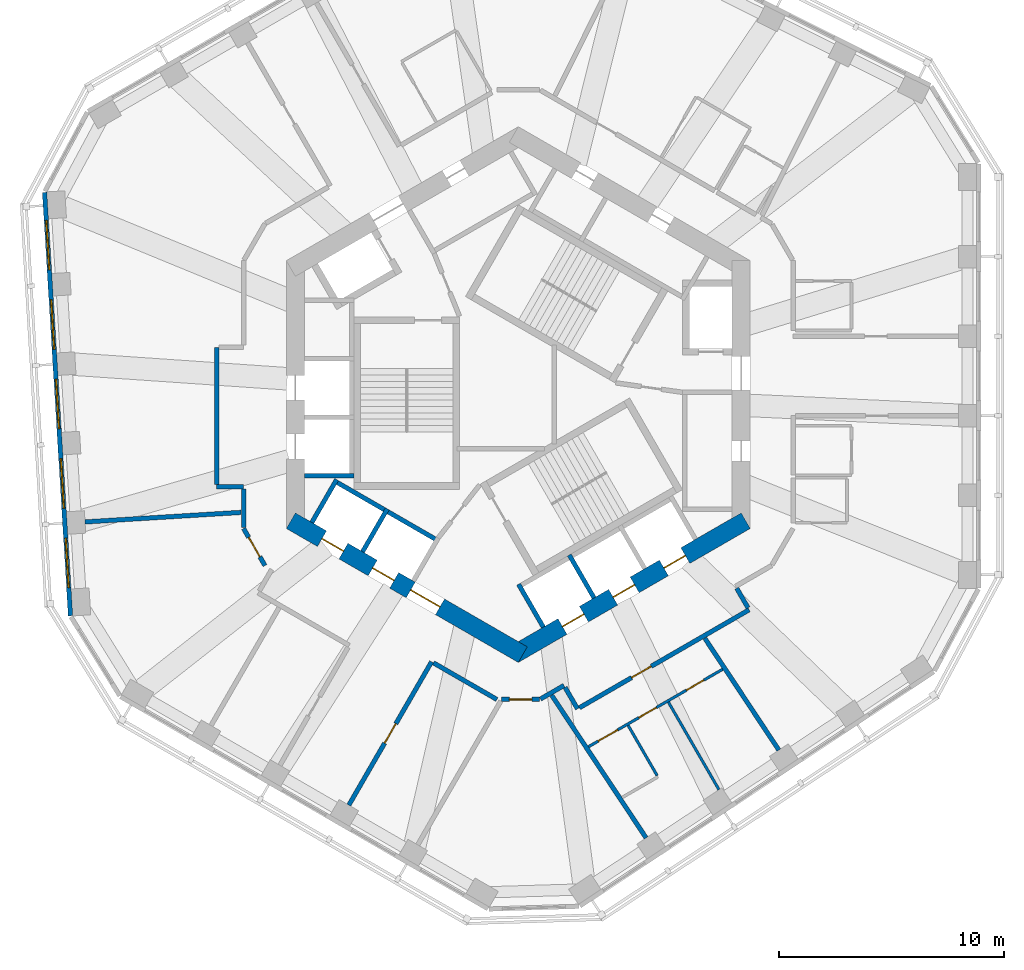
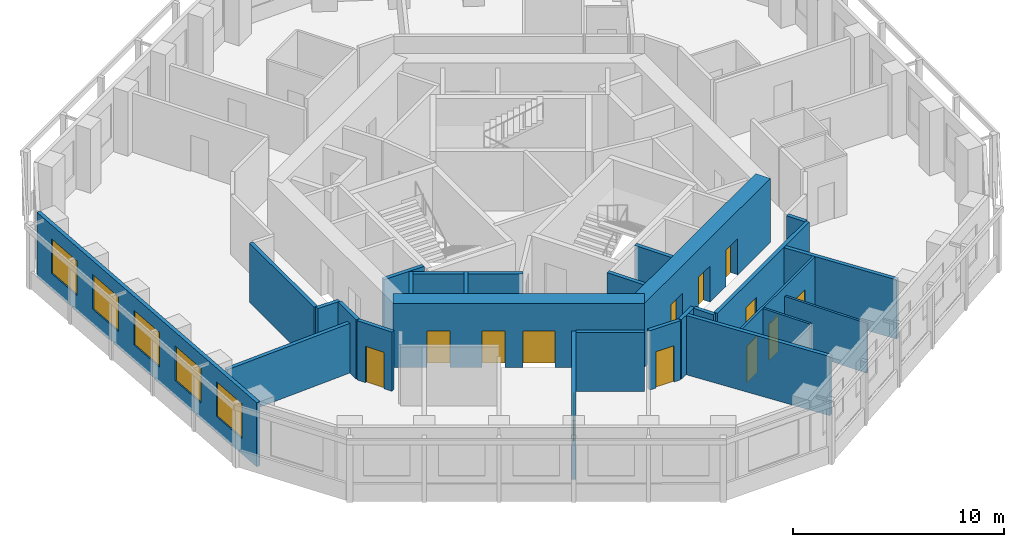
# One storey, part 4 of 11: 26 walls, 13 doors, 5 windows, 18 openings.
"""IFC4 building model written with IfcOpenShell, lengths in metres."""

from ifc_helpers import new_model, si_unit, direction, frame, frame_2d, origin, place, context, subcontext, project, spatial, rectangle, extrude, material, layer, layer_set, type_object, element, fill, save


model = new_model("IFC4")

# Units and contexts
model_context = context("Model", 3, precision=1e-05, world=origin(), true_north=direction((0.0, 1.0)))
body_context = subcontext(model_context, "Body", "Model", "MODEL_VIEW")
ifc_project = project(units=[si_unit("LENGTHUNIT", "METRE"), si_unit("AREAUNIT", "SQUARE_METRE"), si_unit("VOLUMEUNIT", "CUBIC_METRE"), si_unit("PLANEANGLEUNIT", "RADIAN"), si_unit("MASSUNIT", "GRAM", prefix="KILO")], contexts=[model_context])

# Site, building, storey
site_placement = place(None, origin())
site = spatial("IfcSite", under=ifc_project, at=site_placement, CompositionType="ELEMENT")
building_placement = place(site_placement, origin())
building = spatial("IfcBuilding", under=site, at=building_placement, Name="Vanh Sen Convention Tower", CompositionType="ELEMENT")
storey_placement = place(building_placement, frame((0.0, 0.0, 225.39990234375)))
storey = spatial("IfcBuildingStorey", under=building, at=storey_placement, Name="L55", CompositionType="ELEMENT", Elevation=225.39990234375)

# Wall, openings, doors
ifc_material_1 = material(Name="Moisture-resistant gypsum board on steel studs", Category="steel")
ifc_layer_1 = layer(ifc_material_1, 0.1201171875)
ifc_layer_set_1 = layer_set([ifc_layer_1], Name="Moisture-resistant gypsum board on steel studs")
wall_type_1 = type_object("IfcWallType", Name="Bathroom partition 120", PredefinedType="PARTITIONING", material=ifc_layer_set_1)
wall_1_placement = place(storey_placement, frame((3.11669921875, -15.6376953125, 0.0), z_axis=(0.0, 0.0, 1.0), x_axis=(0.866031365477, 0.499989673903, 0.0)))
wall_1 = element("IfcWall", 1, at=wall_1_placement, inside=storey, type_object=wall_type_1, Name="Bathroom partition 120", PredefinedType="PARTITIONING", context=body_context, shape_type="SweptSolid", body=[
    extrude(rectangle(XDim=6.880615234375, YDim=0.1201171875, at=frame_2d((3.4404296875, 0.0))), origin(), (0.0, 0.0, 1.0), 3.420166015625),
])
opening_1_placement = place(wall_1_placement, frame((0.5, 0.0, 0.0)))
opening_1 = element("IfcOpeningElement", 2, at=opening_1_placement, cuts=wall_1, Name="Opening D52114", PredefinedType="OPENING", context=body_context, shape_type="SweptSolid", body=[
    extrude(rectangle(XDim=1.0, YDim=2.10009765625, at=frame_2d((0.5, 1.050048828125))), frame((0.0, 0.070068359375, 0.0), z_axis=(0.0, -1.0, 0.0), x_axis=(1.0, 0.0, 0.0)), (0.0, 0.0, 1.0), 0.14013671875),
])
opening_2_placement = place(wall_1_placement, frame((2.58251953125, 0.0, 0.0)))
opening_2 = element("IfcOpeningElement", 3, at=opening_2_placement, cuts=wall_1, Name="Opening D52115", PredefinedType="OPENING", context=body_context, shape_type="SweptSolid", body=[
    extrude(rectangle(XDim=0.89990234375, YDim=2.10009765625, at=frame_2d((0.449951171875, 1.050048828125))), frame((0.0, 0.070068359375, 0.0), z_axis=(0.0, -1.0, 0.0), x_axis=(1.0, 0.0, 0.0)), (0.0, 0.0, 1.0), 0.14013671875),
])
opening_3_placement = place(wall_1_placement, frame((5.022705078125, 0.0, 0.0)))
opening_3 = element("IfcOpeningElement", 4, at=opening_3_placement, cuts=wall_1, Name="Opening D52116", PredefinedType="OPENING", context=body_context, shape_type="SweptSolid", body=[
    extrude(rectangle(XDim=0.89990234375, YDim=2.10009765625, at=frame_2d((0.449951171875, 1.050048828125))), frame((0.0, 0.070068359375, 0.0), z_axis=(0.0, -1.0, 0.0), x_axis=(1.0, 0.0, 0.0)), (0.0, 0.0, 1.0), 0.14013671875),
])
ifc_material_2 = material(Name="Laminate door in steel frame", Category="steel")
door_type_1 = type_object("IfcDoorType", Name="Accessible WC door 1000", OperationType="SINGLE_SWING_LEFT", PredefinedType="DOOR", material=ifc_material_2)
door_1_placement = place(opening_1_placement, origin())
door_1 = element("IfcDoor", 5, at=door_1_placement, inside=storey, type_object=door_type_1, Name="Accessible WC door D52114", OperationType="SINGLE_SWING_LEFT", OverallHeight=2.10009765625, OverallWidth=1.0, PredefinedType="DOOR", context=body_context, shape_type="SweptSolid", body=[
    extrude(rectangle(XDim=1.0, YDim=2.10009765625, at=frame_2d((0.5, 1.050048828125))), frame((0.0, 0.02490234375, 0.0), z_axis=(0.0, -1.0, 0.0), x_axis=(1.0, 0.0, 0.0)), (0.0, 0.0, 1.0), 0.050048828125),
])
fill(opening_1, door_1)
door_type_2 = type_object("IfcDoorType", Name="Room internal door 900", OperationType="SINGLE_SWING_LEFT", PredefinedType="DOOR", material=ifc_material_2)
door_2_placement = place(opening_2_placement, origin())
door_2 = element("IfcDoor", 6, at=door_2_placement, inside=storey, type_object=door_type_2, Name="Internal room door D52115", OperationType="SINGLE_SWING_LEFT", OverallHeight=2.10009765625, OverallWidth=0.89990234375, PredefinedType="DOOR", context=body_context, shape_type="SweptSolid", body=[
    extrude(rectangle(XDim=0.89990234375, YDim=2.10009765625, at=frame_2d((0.449951171875, 1.050048828125))), frame((0.0, 0.02490234375, 0.0), z_axis=(0.0, -1.0, 0.0), x_axis=(1.0, 0.0, 0.0)), (0.0, 0.0, 1.0), 0.050048828125),
])
fill(opening_2, door_2)
door_3_placement = place(opening_3_placement, origin())
door_3 = element("IfcDoor", 7, at=door_3_placement, inside=storey, type_object=door_type_2, Name="Internal room door D52116", OperationType="SINGLE_SWING_LEFT", OverallHeight=2.10009765625, OverallWidth=0.89990234375, PredefinedType="DOOR", context=body_context, shape_type="SweptSolid", body=[
    extrude(rectangle(XDim=0.89990234375, YDim=2.10009765625, at=frame_2d((0.449951171875, 1.050048828125))), frame((0.0, 0.02490234375, 0.0), z_axis=(0.0, -1.0, 0.0), x_axis=(1.0, 0.0, 0.0)), (0.0, 0.0, 1.0), 0.050048828125),
])
fill(opening_3, door_3)

# Walls
wall_2_placement = place(storey_placement, frame((6.1689453125, -16.923828125, 0.0), z_axis=(0.0, 0.0, 1.0), x_axis=(-0.500047388771, 0.865998042136, 0.0)))
element("IfcWall", 8, at=wall_2_placement, inside=storey, type_object=wall_type_1, Name="Bathroom partition 120", PredefinedType="PARTITIONING", context=body_context, shape_type="SweptSolid", body=[
    extrude(rectangle(XDim=2.579833984375, YDim=0.1201171875, at=frame_2d((1.2900390625, 0.0))), origin(), (0.0, 0.0, 1.0), 3.420166015625),
])
wall_3_placement = place(storey_placement, frame((8.912353515625, -17.54541015625, 0.0), z_axis=(0.0, 0.0, 1.0), x_axis=(-0.500022113525, 0.866012636158, 0.0)))
element("IfcWall", 9, at=wall_3_placement, inside=storey, type_object=wall_type_1, Name="Bathroom partition 120", PredefinedType="PARTITIONING", context=body_context, shape_type="SweptSolid", body=[
    extrude(rectangle(XDim=4.489990234375, YDim=0.1201171875, at=frame_2d((2.2451171875, 0.0))), origin(), (0.0, 0.0, 1.0), 2.8701171875),
])

# Wall, openings, doors
ifc_material_3 = material(Name="Concrete C60/75", Category="concrete")
ifc_layer_2 = layer(ifc_material_3, 0.800048828125)
ifc_layer_set_2 = layer_set([ifc_layer_2], Name="Concrete C60/75")
wall_type_2 = type_object("IfcWallType", Name="Core outer wall 800 C60/75", PredefinedType="SHEAR", material=ifc_layer_set_2)
wall_4_placement = place(storey_placement, frame((-10.10009765625, -5.600341796875, 0.0), z_axis=(0.0, 0.0, 1.0), x_axis=(0.866023897231, -0.500002609418, 0.0)))
wall_4 = element("IfcWall", 10, at=wall_4_placement, inside=storey, type_object=wall_type_2, Name="Core wall face SW L55", PredefinedType="SHEAR", context=body_context, shape_type="SweptSolid", body=[
    extrude(rectangle(XDim=11.8935546875, YDim=0.800048828125, at=frame_2d((5.94677734375, 0.0))), origin(), (0.0, 0.0, 1.0), 3.7001953125),
])
opening_4_placement = place(wall_4_placement, frame((6.146728515625, 0.0, 0.0)))
opening_4 = element("IfcOpeningElement", 11, at=opening_4_placement, cuts=wall_4, Name="Opening D52003", PredefinedType="OPENING", context=body_context, shape_type="SweptSolid", body=[
    extrude(rectangle(XDim=1.5, YDim=2.10009765625, at=frame_2d((0.75, 1.050048828125))), frame((0.0, 0.409912109375, 0.0), z_axis=(0.0, -1.0, 0.0), x_axis=(1.0, 0.0, 0.0)), (0.0, 0.0, 1.0), 0.820068359375),
])
opening_5_placement = place(wall_4_placement, frame((1.5966796875, 0.0, 0.0)))
opening_5 = element("IfcOpeningElement", 12, at=opening_5_placement, cuts=wall_4, Name="Opening LD-HR3", PredefinedType="OPENING", context=body_context, shape_type="SweptSolid", body=[
    extrude(rectangle(XDim=1.10009765625, YDim=2.10009765625, at=frame_2d((0.550048828125, 1.050048828125))), frame((0.0, 0.409912109375, 0.0), z_axis=(0.0, -1.0, 0.0), x_axis=(1.0, 0.0, 0.0)), (0.0, 0.0, 1.0), 0.820068359375),
])
opening_6_placement = place(wall_4_placement, frame((4.19677734375, 0.0, 0.0)))
opening_6 = element("IfcOpeningElement", 13, at=opening_6_placement, cuts=wall_4, Name="Opening LD-HR4", PredefinedType="OPENING", context=body_context, shape_type="SweptSolid", body=[
    extrude(rectangle(XDim=1.10009765625, YDim=2.10009765625, at=frame_2d((0.550048828125, 1.050048828125))), frame((0.0, 0.409912109375, 0.0), z_axis=(0.0, -1.0, 0.0), x_axis=(1.0, 0.0, 0.0)), (0.0, 0.0, 1.0), 0.820068359375),
])
ifc_material_4 = material(Name="Stainless steel", Category="steel")
door_type_3 = type_object("IfcDoorType", Name="Lift landing door 1100", OperationType="DOUBLE_DOOR_SLIDING", PredefinedType="DOOR", material=ifc_material_4)
door_4_placement = place(opening_5_placement, origin())
door_4 = element("IfcDoor", 14, at=door_4_placement, inside=storey, type_object=door_type_3, Name="Lift HR3 landing door LD-HR3", OperationType="DOUBLE_DOOR_SLIDING", OverallHeight=2.10009765625, OverallWidth=1.10009765625, PredefinedType="DOOR", context=body_context, shape_type="SweptSolid", body=[
    extrude(rectangle(XDim=1.10009765625, YDim=2.10009765625, at=frame_2d((0.550048828125, 1.050048828125))), frame((0.0, 0.02490234375, 0.0), z_axis=(0.0, -1.0, 0.0), x_axis=(1.0, 0.0, 0.0)), (0.0, 0.0, 1.0), 0.050048828125),
])
fill(opening_5, door_4)
door_5_placement = place(opening_6_placement, origin())
door_5 = element("IfcDoor", 15, at=door_5_placement, inside=storey, type_object=door_type_3, Name="Lift HR4 landing door LD-HR4", OperationType="DOUBLE_DOOR_SLIDING", OverallHeight=2.10009765625, OverallWidth=1.10009765625, PredefinedType="DOOR", context=body_context, shape_type="SweptSolid", body=[
    extrude(rectangle(XDim=1.10009765625, YDim=2.10009765625, at=frame_2d((0.550048828125, 1.050048828125))), frame((0.0, 0.02490234375, 0.0), z_axis=(0.0, -1.0, 0.0), x_axis=(1.0, 0.0, 0.0)), (0.0, 0.0, 1.0), 0.050048828125),
])
fill(opening_6, door_5)
ifc_material_5 = material(Name="Steel S355", Category="steel")
door_type_4 = type_object("IfcDoorType", Name="Stair lobby door 1500", OperationType="DOUBLE_DOOR_SINGLE_SWING", PredefinedType="DOOR", material=ifc_material_5)
door_6_placement = place(opening_4_placement, origin())
door_6 = element("IfcDoor", 16, at=door_6_placement, inside=storey, type_object=door_type_4, Name="Stair lobby door D52003", OperationType="DOUBLE_DOOR_SINGLE_SWING", OverallHeight=2.10009765625, OverallWidth=1.5, PredefinedType="DOOR", context=body_context, shape_type="SweptSolid", body=[
    extrude(rectangle(XDim=1.5, YDim=2.10009765625, at=frame_2d((0.75, 1.050048828125))), frame((0.0, 0.02490234375, 0.0), z_axis=(0.0, -1.0, 0.0), x_axis=(1.0, 0.0, 0.0)), (0.0, 0.0, 1.0), 0.050048828125),
])
fill(opening_4, door_6)

wall_5_placement = place(storey_placement, frame((-0.199951171875, -11.547119140625, 0.0), z_axis=(0.0, 0.0, 1.0), x_axis=(0.866023897231, 0.500002609418, 0.0)))
wall_5 = element("IfcWall", 17, at=wall_5_placement, inside=storey, type_object=wall_type_2, Name="Core wall face SE L55", PredefinedType="SHEAR", context=body_context, shape_type="SweptSolid", body=[
    extrude(rectangle(XDim=11.8935546875, YDim=0.800048828125, at=frame_2d((5.94677734375, 0.0))), origin(), (0.0, 0.0, 1.0), 3.7001953125),
])
opening_7_placement = place(wall_5_placement, frame((2.49658203125, 0.0, 0.0)))
opening_7 = element("IfcOpeningElement", 18, at=opening_7_placement, cuts=wall_5, Name="Opening LD-HR5", PredefinedType="OPENING", context=body_context, shape_type="SweptSolid", body=[
    extrude(rectangle(XDim=1.10009765625, YDim=2.10009765625, at=frame_2d((0.550048828125, 1.050048828125))), frame((0.0, 0.409912109375, 0.0), z_axis=(0.0, -1.0, 0.0), x_axis=(1.0, 0.0, 0.0)), (0.0, 0.0, 1.0), 0.820068359375),
])
opening_8_placement = place(wall_5_placement, frame((5.0966796875, 0.0, 0.0)))
opening_8 = element("IfcOpeningElement", 19, at=opening_8_placement, cuts=wall_5, Name="Opening LD-HR6", PredefinedType="OPENING", context=body_context, shape_type="SweptSolid", body=[
    extrude(rectangle(XDim=1.10009765625, YDim=2.10009765625, at=frame_2d((0.550048828125, 1.050048828125))), frame((0.0, 0.409912109375, 0.0), z_axis=(0.0, -1.0, 0.0), x_axis=(1.0, 0.0, 0.0)), (0.0, 0.0, 1.0), 0.820068359375),
])
opening_9_placement = place(wall_5_placement, frame((7.69677734375, 0.0, 0.0)))
opening_9 = element("IfcOpeningElement", 20, at=opening_9_placement, cuts=wall_5, Name="Opening LD-SV1", PredefinedType="OPENING", context=body_context, shape_type="SweptSolid", body=[
    extrude(rectangle(XDim=1.10009765625, YDim=2.10009765625, at=frame_2d((0.550048828125, 1.050048828125))), frame((0.0, 0.409912109375, 0.0), z_axis=(0.0, -1.0, 0.0), x_axis=(1.0, 0.0, 0.0)), (0.0, 0.0, 1.0), 0.820068359375),
])
door_7_placement = place(opening_7_placement, origin())
door_7 = element("IfcDoor", 21, at=door_7_placement, inside=storey, type_object=door_type_3, Name="Lift HR5 landing door LD-HR5", OperationType="DOUBLE_DOOR_SLIDING", OverallHeight=2.10009765625, OverallWidth=1.10009765625, PredefinedType="DOOR", context=body_context, shape_type="SweptSolid", body=[
    extrude(rectangle(XDim=1.10009765625, YDim=2.10009765625, at=frame_2d((0.550048828125, 1.050048828125))), frame((0.0, 0.02490234375, 0.0), z_axis=(0.0, -1.0, 0.0), x_axis=(1.0, 0.0, 0.0)), (0.0, 0.0, 1.0), 0.050048828125),
])
fill(opening_7, door_7)
door_8_placement = place(opening_8_placement, origin())
door_8 = element("IfcDoor", 22, at=door_8_placement, inside=storey, type_object=door_type_3, Name="Lift HR6 landing door LD-HR6", OperationType="DOUBLE_DOOR_SLIDING", OverallHeight=2.10009765625, OverallWidth=1.10009765625, PredefinedType="DOOR", context=body_context, shape_type="SweptSolid", body=[
    extrude(rectangle(XDim=1.10009765625, YDim=2.10009765625, at=frame_2d((0.550048828125, 1.050048828125))), frame((0.0, 0.02490234375, 0.0), z_axis=(0.0, -1.0, 0.0), x_axis=(1.0, 0.0, 0.0)), (0.0, 0.0, 1.0), 0.050048828125),
])
fill(opening_8, door_8)
door_9_placement = place(opening_9_placement, origin())
door_9 = element("IfcDoor", 23, at=door_9_placement, inside=storey, type_object=door_type_3, Name="Lift SV1 landing door LD-SV1", OperationType="DOUBLE_DOOR_SLIDING", OverallHeight=2.10009765625, OverallWidth=1.10009765625, PredefinedType="DOOR", context=body_context, shape_type="SweptSolid", body=[
    extrude(rectangle(XDim=1.10009765625, YDim=2.10009765625, at=frame_2d((0.550048828125, 1.050048828125))), frame((0.0, 0.02490234375, 0.0), z_axis=(0.0, -1.0, 0.0), x_axis=(1.0, 0.0, 0.0)), (0.0, 0.0, 1.0), 0.050048828125),
])
fill(opening_9, door_9)

# Walls
ifc_material_6 = material(Name="Gypsum board on steel studs with mineral wool", Category="steel")
ifc_layer_3 = layer(ifc_material_6, 0.199951171875)
ifc_layer_set_3 = layer_set([ifc_layer_3], Name="Gypsum board on steel studs with mineral wool")
wall_type_3 = type_object("IfcWallType", Name="Corridor partition wall 200", PredefinedType="PARTITIONING", material=ifc_layer_set_3)
wall_6_placement = place(storey_placement, frame((-13.40087890625, -4.10107421875, 0.0), z_axis=(0.0, 0.0, 1.0), x_axis=(1.0, 0.0, 0.0)))
element("IfcWall", 24, at=wall_6_placement, inside=storey, type_object=wall_type_3, Name="Corridor partition wall 200", PredefinedType="PARTITIONING", context=body_context, shape_type="SweptSolid", body=[
    extrude(rectangle(XDim=1.200927734375, YDim=0.199951171875, at=frame_2d((0.6005859375, 0.0))), origin(), (0.0, 0.0, 1.0), 3.420166015625),
])
wall_7_placement = place(storey_placement, frame((-13.40087890625, 2.10107421875, 0.0), z_axis=(0.0, 0.0, 1.0), x_axis=(0.0, -1.0, 0.0)))
element("IfcWall", 25, at=wall_7_placement, inside=storey, type_object=wall_type_3, Name="Corridor partition wall 200", PredefinedType="PARTITIONING", context=body_context, shape_type="SweptSolid", body=[
    extrude(rectangle(XDim=6.10205078125, YDim=0.199951171875, at=frame_2d((3.051025390625, 0.0))), origin(), (0.0, 0.0, 1.0), 3.420166015625),
])

# Wall, opening, door
wall_8_placement = place(storey_placement, frame((-12.199951171875, -5.94677734375, 0.0), z_axis=(0.0, 0.0, 1.0), x_axis=(0.500022797313, -0.86601224135, 0.0)))
wall_8 = element("IfcWall", 26, at=wall_8_placement, inside=storey, type_object=wall_type_3, Name="Corridor partition wall 200", PredefinedType="PARTITIONING", context=body_context, shape_type="SweptSolid", body=[
    extrude(rectangle(XDim=1.89990234375, YDim=0.199951171875, at=frame_2d((0.949951171875, 0.0))), origin(), (0.0, 0.0, 1.0), 3.420166015625),
])
opening_10_placement = place(wall_8_placement, frame((0.449951171875, 0.0, 0.0)))
opening_10 = element("IfcOpeningElement", 27, at=opening_10_placement, cuts=wall_8, Name="Opening D52109", PredefinedType="OPENING", context=body_context, shape_type="SweptSolid", body=[
    extrude(rectangle(XDim=1.0, YDim=2.10009765625, at=frame_2d((0.5, 1.050048828125))), frame((0.0, 0.10986328125, 0.0), z_axis=(0.0, -1.0, 0.0), x_axis=(1.0, 0.0, 0.0)), (0.0, 0.0, 1.0), 0.219970703125),
])
ifc_material_7 = material(Name="Timber fire door in steel frame", Category="steel")
door_type_5 = type_object("IfcDoorType", Name="Floor room door 1000", OperationType="SINGLE_SWING_LEFT", PredefinedType="DOOR", material=ifc_material_7)
door_10_placement = place(opening_10_placement, origin())
door_10 = element("IfcDoor", 28, at=door_10_placement, inside=storey, type_object=door_type_5, Name="Meeting and amenity room door D52109", OperationType="SINGLE_SWING_LEFT", OverallHeight=2.10009765625, OverallWidth=1.0, PredefinedType="DOOR", context=body_context, shape_type="SweptSolid", body=[
    extrude(rectangle(XDim=1.0, YDim=2.10009765625, at=frame_2d((0.5, 1.050048828125))), frame((0.0, 0.02490234375, 0.0), z_axis=(0.0, -1.0, 0.0), x_axis=(1.0, 0.0, 0.0)), (0.0, 0.0, 1.0), 0.050048828125),
])
fill(opening_10, door_10)

# Wall
wall_9_placement = place(storey_placement, frame((-12.199951171875, -4.200927734375, 0.0), z_axis=(0.0, 0.0, 1.0), x_axis=(0.0, -1.0, 0.0)))
element("IfcWall", 29, at=wall_9_placement, inside=storey, type_object=wall_type_3, Name="Corridor partition wall 200", PredefinedType="PARTITIONING", context=body_context, shape_type="SweptSolid", body=[
    extrude(rectangle(XDim=1.705810546875, YDim=0.199951171875, at=frame_2d((0.85302734375, 0.0))), origin(), (0.0, 0.0, 1.0), 3.420166015625),
])

# Wall, opening, door
wall_10_placement = place(storey_placement, frame((-7.52490234375, -18.229736328125, 0.0), z_axis=(0.0, 0.0, 1.0), x_axis=(0.499983153418, 0.866035129944, 0.0)))
wall_10 = element("IfcWall", 30, at=wall_10_placement, inside=storey, type_object=wall_type_3, Name="Corridor partition wall 200", PredefinedType="PARTITIONING", context=body_context, shape_type="SweptSolid", body=[
    extrude(rectangle(XDim=7.349853515625, YDim=0.199951171875, at=frame_2d((3.6748046875, 0.0))), origin(), (0.0, 0.0, 1.0), 3.420166015625),
])
opening_11_placement = place(wall_10_placement, frame((3.175048828125, 0.0, 0.0)))
opening_11 = element("IfcOpeningElement", 31, at=opening_11_placement, cuts=wall_10, Name="Opening D52111", PredefinedType="OPENING", context=body_context, shape_type="SweptSolid", body=[
    extrude(rectangle(XDim=1.0, YDim=2.10009765625, at=frame_2d((0.5, 1.050048828125))), frame((0.0, 0.10986328125, 0.0), z_axis=(0.0, -1.0, 0.0), x_axis=(1.0, 0.0, 0.0)), (0.0, 0.0, 1.0), 0.219970703125),
])
ifc_material_8 = material(Name="Glazed fire door in steel frame", Category="steel")
door_type_6 = type_object("IfcDoorType", Name="Tenant entrance door 1000", OperationType="SINGLE_SWING_LEFT", PredefinedType="DOOR", material=ifc_material_8)
door_11_placement = place(opening_11_placement, origin())
door_11 = element("IfcDoor", 32, at=door_11_placement, inside=storey, type_object=door_type_6, Name="Tenant suite entrance door D52111", OperationType="SINGLE_SWING_LEFT", OverallHeight=2.10009765625, OverallWidth=1.0, PredefinedType="DOOR", context=body_context, shape_type="SweptSolid", body=[
    extrude(rectangle(XDim=1.0, YDim=2.10009765625, at=frame_2d((0.5, 1.050048828125))), frame((0.0, 0.02490234375, 0.0), z_axis=(0.0, -1.0, 0.0), x_axis=(1.0, 0.0, 0.0)), (0.0, 0.0, 1.0), 0.050048828125),
])
fill(opening_11, door_11)

# Wall
wall_11_placement = place(storey_placement, frame((-3.763427734375, -11.91455078125, 0.0), z_axis=(0.0, 0.0, 1.0), x_axis=(0.866037915695, -0.499978328108, 0.0)))
element("IfcWall", 33, at=wall_11_placement, inside=storey, type_object=wall_type_3, Name="Corridor partition wall 200", PredefinedType="PARTITIONING", context=body_context, shape_type="SweptSolid", body=[
    extrude(rectangle(XDim=3.248779296875, YDim=0.199951171875, at=frame_2d((1.62451171875, 0.0))), origin(), (0.0, 0.0, 1.0), 3.420166015625),
])

# Wall, opening, door
wall_12_placement = place(storey_placement, frame((-0.736328125, -13.538818359375, 0.0), z_axis=(0.0, 0.0, 1.0), x_axis=(1.0, 0.0, 0.0)))
wall_12 = element("IfcWall", 34, at=wall_12_placement, inside=storey, type_object=wall_type_3, Name="Corridor partition wall 200", PredefinedType="PARTITIONING", context=body_context, shape_type="SweptSolid", body=[
    extrude(rectangle(XDim=1.686279296875, YDim=0.199951171875, at=frame_2d((0.84326171875, 0.0))), origin(), (0.0, 0.0, 1.0), 3.420166015625),
])
opening_12_placement = place(wall_12_placement, frame((0.34326171875, 0.0, 0.0)))
opening_12 = element("IfcOpeningElement", 35, at=opening_12_placement, cuts=wall_12, Name="Opening D52112", PredefinedType="OPENING", context=body_context, shape_type="SweptSolid", body=[
    extrude(rectangle(XDim=1.0, YDim=2.10009765625, at=frame_2d((0.5, 1.050048828125))), frame((0.0, 0.10986328125, 0.0), z_axis=(0.0, -1.0, 0.0), x_axis=(1.0, 0.0, 0.0)), (0.0, 0.0, 1.0), 0.219970703125),
])
door_12_placement = place(opening_12_placement, origin())
door_12 = element("IfcDoor", 36, at=door_12_placement, inside=storey, type_object=door_type_5, Name="Meeting and amenity room door D52112", OperationType="SINGLE_SWING_LEFT", OverallHeight=2.10009765625, OverallWidth=1.0, PredefinedType="DOOR", context=body_context, shape_type="SweptSolid", body=[
    extrude(rectangle(XDim=1.0, YDim=2.10009765625, at=frame_2d((0.5, 1.050048828125))), frame((0.0, 0.02490234375, 0.0), z_axis=(0.0, -1.0, 0.0), x_axis=(1.0, 0.0, 0.0)), (0.0, 0.0, 1.0), 0.050048828125),
])
fill(opening_12, door_12)

# Walls
wall_13_placement = place(storey_placement, frame((0.984619140625, -13.518798828125, 0.0), z_axis=(0.0, 0.0, 1.0), x_axis=(0.866054082991, 0.499950322867, 0.0)))
element("IfcWall", 37, at=wall_13_placement, inside=storey, type_object=wall_type_3, Name="Corridor partition wall 200", PredefinedType="PARTITIONING", context=body_context, shape_type="SweptSolid", body=[
    extrude(rectangle(XDim=1.20556640625, YDim=0.199951171875, at=frame_2d((0.602783203125, 0.0))), origin(), (0.0, 0.0, 1.0), 3.420166015625),
])
wall_14_placement = place(storey_placement, frame((2.078857421875, -13.002685546875, 0.0), z_axis=(0.0, 0.0, 1.0), x_axis=(0.500074377092, -0.865982457891, 0.0)))
element("IfcWall", 38, at=wall_14_placement, inside=storey, type_object=wall_type_3, Name="Corridor partition wall 200", PredefinedType="PARTITIONING", context=body_context, shape_type="SweptSolid", body=[
    extrude(rectangle(XDim=1.100830078125, YDim=0.199951171875, at=frame_2d((0.55029296875, 0.0))), origin(), (0.0, 0.0, 1.0), 3.420166015625),
])

# Wall, opening, door
wall_15_placement = place(storey_placement, frame((2.7158203125, -13.906005859375, 0.0), z_axis=(0.0, 0.0, 1.0), x_axis=(0.866040290674, 0.499974214264, 0.0)))
wall_15 = element("IfcWall", 39, at=wall_15_placement, inside=storey, type_object=wall_type_3, Name="Corridor partition wall 200", PredefinedType="PARTITIONING", context=body_context, shape_type="SweptSolid", body=[
    extrude(rectangle(XDim=8.7021484375, YDim=0.199951171875, at=frame_2d((4.35107421875, 0.0))), origin(), (0.0, 0.0, 1.0), 3.420166015625),
])
opening_13_placement = place(wall_15_placement, frame((2.678955078125, 0.0, 0.0)))
opening_13 = element("IfcOpeningElement", 40, at=opening_13_placement, cuts=wall_15, Name="Opening D52113", PredefinedType="OPENING", context=body_context, shape_type="SweptSolid", body=[
    extrude(rectangle(XDim=1.0, YDim=2.10009765625, at=frame_2d((0.5, 1.050048828125))), frame((0.0, 0.10986328125, 0.0), z_axis=(0.0, -1.0, 0.0), x_axis=(1.0, 0.0, 0.0)), (0.0, 0.0, 1.0), 0.219970703125),
])
door_13_placement = place(opening_13_placement, origin())
door_13 = element("IfcDoor", 41, at=door_13_placement, inside=storey, type_object=door_type_5, Name="Meeting and amenity room door D52113", OperationType="SINGLE_SWING_LEFT", OverallHeight=2.10009765625, OverallWidth=1.0, PredefinedType="DOOR", context=body_context, shape_type="SweptSolid", body=[
    extrude(rectangle(XDim=1.0, YDim=2.10009765625, at=frame_2d((0.5, 1.050048828125))), frame((0.0, 0.02490234375, 0.0), z_axis=(0.0, -1.0, 0.0), x_axis=(1.0, 0.0, 0.0)), (0.0, 0.0, 1.0), 0.050048828125),
])
fill(opening_13, door_13)

# Wall
wall_16_placement = place(storey_placement, frame((10.2021484375, -9.468505859375, 0.0), z_axis=(0.0, 0.0, 1.0), x_axis=(-0.499968756647, 0.866043441391, 0.0)))
element("IfcWall", 42, at=wall_16_placement, inside=storey, type_object=wall_type_3, Name="Corridor partition wall 200", PredefinedType="PARTITIONING", context=body_context, shape_type="SweptSolid", body=[
    extrude(rectangle(XDim=1.0009765625, YDim=0.199951171875, at=frame_2d((0.50048828125, 0.0))), origin(), (0.0, 0.0, 1.0), 3.420166015625),
])

# Wall, openings, windows
ifc_material_9 = material(Name="Insulated lightweight infill wall")
ifc_layer_4 = layer(ifc_material_9, 0.199951171875)
ifc_layer_set_4 = layer_set([ifc_layer_4], Name="Insulated lightweight infill wall")
wall_type_4 = type_object("IfcWallType", Name="External wall 200", PredefinedType="STANDARD", material=ifc_layer_set_4)
wall_17_placement = place(storey_placement, frame((-21.03759765625, 8.983642578125, 0.0), z_axis=(0.0, 0.0, 1.0), x_axis=(0.061043935634, -0.998135079998, 0.0)))
wall_17 = element("IfcWall", 43, at=wall_17_placement, inside=storey, type_object=wall_type_4, Name="External wall W L55", PredefinedType="STANDARD", context=body_context, shape_type="SweptSolid", body=[
    extrude(rectangle(XDim=18.84130859375, YDim=0.199951171875, at=frame_2d((9.420654296875, 0.0))), origin(), (0.0, 0.0, 1.0), 3.7001953125),
])
opening_14_placement = place(wall_17_placement, frame((1.252685546875, 0.0, 0.89990234375)))
opening_14 = element("IfcOpeningElement", 44, at=opening_14_placement, cuts=wall_17, Name="Opening WO3-W1", PredefinedType="OPENING", context=body_context, shape_type="SweptSolid", body=[
    extrude(rectangle(XDim=2.199951171875, YDim=2.0, at=frame_2d((1.10009765625, 1.0))), frame((0.0, 0.10986328125, 0.0), z_axis=(0.0, -1.0, 0.0), x_axis=(1.0, 0.0, 0.0)), (0.0, 0.0, 1.0), 0.219970703125),
])
opening_15_placement = place(wall_17_placement, frame((4.7861328125, 0.0, 0.89990234375)))
opening_15 = element("IfcOpeningElement", 45, at=opening_15_placement, cuts=wall_17, Name="Opening WO3-W2", PredefinedType="OPENING", context=body_context, shape_type="SweptSolid", body=[
    extrude(rectangle(XDim=2.199951171875, YDim=2.0, at=frame_2d((1.10009765625, 1.0))), frame((0.0, 0.10986328125, 0.0), z_axis=(0.0, -1.0, 0.0), x_axis=(1.0, 0.0, 0.0)), (0.0, 0.0, 1.0), 0.219970703125),
])
opening_16_placement = place(wall_17_placement, frame((8.31982421875, 0.0, 0.89990234375)))
opening_16 = element("IfcOpeningElement", 46, at=opening_16_placement, cuts=wall_17, Name="Opening WO3-W3", PredefinedType="OPENING", context=body_context, shape_type="SweptSolid", body=[
    extrude(rectangle(XDim=2.199951171875, YDim=2.0, at=frame_2d((1.10009765625, 1.0))), frame((0.0, 0.10986328125, 0.0), z_axis=(0.0, -1.0, 0.0), x_axis=(1.0, 0.0, 0.0)), (0.0, 0.0, 1.0), 0.219970703125),
])
opening_17_placement = place(wall_17_placement, frame((11.853515625, 0.0, 0.89990234375)))
opening_17 = element("IfcOpeningElement", 47, at=opening_17_placement, cuts=wall_17, Name="Opening WO3-W4", PredefinedType="OPENING", context=body_context, shape_type="SweptSolid", body=[
    extrude(rectangle(XDim=2.199951171875, YDim=2.0, at=frame_2d((1.10009765625, 1.0))), frame((0.0, 0.10986328125, 0.0), z_axis=(0.0, -1.0, 0.0), x_axis=(1.0, 0.0, 0.0)), (0.0, 0.0, 1.0), 0.219970703125),
])
opening_18_placement = place(wall_17_placement, frame((15.38720703125, 0.0, 0.89990234375)))
opening_18 = element("IfcOpeningElement", 48, at=opening_18_placement, cuts=wall_17, Name="Opening WO3-W5", PredefinedType="OPENING", context=body_context, shape_type="SweptSolid", body=[
    extrude(rectangle(XDim=2.199951171875, YDim=2.0, at=frame_2d((1.10009765625, 1.0))), frame((0.0, 0.10986328125, 0.0), z_axis=(0.0, -1.0, 0.0), x_axis=(1.0, 0.0, 0.0)), (0.0, 0.0, 1.0), 0.219970703125),
])
ifc_material_10 = material(Name="Aluminium frame with clear low-emissivity glass", Category="aluminium")
window_type = type_object("IfcWindowType", Name="Office window 2200 x 2000", PartitioningType="SINGLE_PANEL", PredefinedType="WINDOW", material=ifc_material_10)
window_1_placement = place(opening_14_placement, origin())
window_1 = element("IfcWindow", 49, at=window_1_placement, inside=storey, type_object=window_type, Name="Window WO3-W1", OverallHeight=2.0, OverallWidth=2.199951171875, PartitioningType="SINGLE_PANEL", PredefinedType="WINDOW", context=body_context, shape_type="SweptSolid", body=[
    extrude(rectangle(XDim=2.199951171875, YDim=2.0, at=frame_2d((1.10009765625, 1.0))), frame((0.0, 0.030029296875, 0.0), z_axis=(0.0, -1.0, 0.0), x_axis=(1.0, 0.0, 0.0)), (0.0, 0.0, 1.0), 0.06005859375),
])
fill(opening_14, window_1)
window_2_placement = place(opening_15_placement, origin())
window_2 = element("IfcWindow", 50, at=window_2_placement, inside=storey, type_object=window_type, Name="Window WO3-W2", OverallHeight=2.0, OverallWidth=2.199951171875, PartitioningType="SINGLE_PANEL", PredefinedType="WINDOW", context=body_context, shape_type="SweptSolid", body=[
    extrude(rectangle(XDim=2.199951171875, YDim=2.0, at=frame_2d((1.10009765625, 1.0))), frame((0.0, 0.030029296875, 0.0), z_axis=(0.0, -1.0, 0.0), x_axis=(1.0, 0.0, 0.0)), (0.0, 0.0, 1.0), 0.06005859375),
])
fill(opening_15, window_2)
window_3_placement = place(opening_16_placement, origin())
window_3 = element("IfcWindow", 51, at=window_3_placement, inside=storey, type_object=window_type, Name="Window WO3-W3", OverallHeight=2.0, OverallWidth=2.199951171875, PartitioningType="SINGLE_PANEL", PredefinedType="WINDOW", context=body_context, shape_type="SweptSolid", body=[
    extrude(rectangle(XDim=2.199951171875, YDim=2.0, at=frame_2d((1.10009765625, 1.0))), frame((0.0, 0.030029296875, 0.0), z_axis=(0.0, -1.0, 0.0), x_axis=(1.0, 0.0, 0.0)), (0.0, 0.0, 1.0), 0.06005859375),
])
fill(opening_16, window_3)
window_4_placement = place(opening_17_placement, origin())
window_4 = element("IfcWindow", 52, at=window_4_placement, inside=storey, type_object=window_type, Name="Window WO3-W4", OverallHeight=2.0, OverallWidth=2.199951171875, PartitioningType="SINGLE_PANEL", PredefinedType="WINDOW", context=body_context, shape_type="SweptSolid", body=[
    extrude(rectangle(XDim=2.199951171875, YDim=2.0, at=frame_2d((1.10009765625, 1.0))), frame((0.0, 0.030029296875, 0.0), z_axis=(0.0, -1.0, 0.0), x_axis=(1.0, 0.0, 0.0)), (0.0, 0.0, 1.0), 0.06005859375),
])
fill(opening_17, window_4)
window_5_placement = place(opening_18_placement, origin())
window_5 = element("IfcWindow", 53, at=window_5_placement, inside=storey, type_object=window_type, Name="Window WO3-W5", OverallHeight=2.0, OverallWidth=2.199951171875, PartitioningType="SINGLE_PANEL", PredefinedType="WINDOW", context=body_context, shape_type="SweptSolid", body=[
    extrude(rectangle(XDim=2.199951171875, YDim=2.0, at=frame_2d((1.10009765625, 1.0))), frame((0.0, 0.030029296875, 0.0), z_axis=(0.0, -1.0, 0.0), x_axis=(1.0, 0.0, 0.0)), (0.0, 0.0, 1.0), 0.06005859375),
])
fill(opening_18, window_5)

# Walls
ifc_material_11 = material(Name="Concrete C40/50", Category="concrete")
ifc_layer_5 = layer(ifc_material_11, 0.199951171875)
ifc_layer_set_5 = layer_set([ifc_layer_5], Name="Concrete C40/50")
wall_type_5 = type_object("IfcWallType", Name="Lift shaft wall 200", PredefinedType="PARTITIONING", material=ifc_layer_set_5)
wall_18_placement = place(storey_placement, frame((-7.300048828125, -3.60009765625, 0.0), z_axis=(0.0, 0.0, 1.0), x_axis=(-1.0, 0.0, 0.0)))
element("IfcWall", 54, at=wall_18_placement, inside=storey, type_object=wall_type_5, Name="Lift shaft wall L55", PredefinedType="PARTITIONING", context=body_context, shape_type="SweptSolid", body=[
    extrude(rectangle(XDim=2.199951171875, YDim=0.199951171875, at=frame_2d((1.10009765625, 0.0))), origin(), (0.0, 0.0, 1.0), 3.420166015625),
])
wall_19_placement = place(storey_placement, frame((-8.203369140625, -3.80859375, 0.0), z_axis=(0.0, 0.0, 1.0), x_axis=(0.866028230842, -0.499995103361, 0.0)))
element("IfcWall", 55, at=wall_19_placement, inside=storey, type_object=wall_type_5, Name="Lift shaft wall L55", PredefinedType="PARTITIONING", context=body_context, shape_type="SweptSolid", body=[
    extrude(rectangle(XDim=5.39990234375, YDim=0.199951171875, at=frame_2d((2.699951171875, 0.0))), origin(), (0.0, 0.0, 1.0), 3.420166015625),
])
for number, where, z_axis, x_axis, name in (
    (56, (-8.066650390625, -3.77197265625, 0.0), (0.0, 0.0, 1.0), (-0.50002983664, -0.866008176907, 0.0), "Lift shaft wall L55"),
    (57, (-5.815185546875, -5.072021484375, 0.0), (0.0, 0.0, 1.0), (-0.499946605688, -0.86605622881, 0.0), "Lift shaft wall L55"),
    (58, (0.0126953125, -8.422119140625, 0.0), (0.0, 0.0, 1.0), (0.500077893725, -0.86598042715, 0.0), "Lift shaft wall L55"),
    (59, (2.264404296875, -7.1220703125, 0.0), (0.0, 0.0, 1.0), (0.500077893725, -0.86598042715, 0.0), "Lift shaft wall L55"),
):
    element("IfcWall", number, at=place(storey_placement, frame(where, z_axis=z_axis, x_axis=x_axis)), inside=storey, type_object=wall_type_5, Name=name, PredefinedType="PARTITIONING", context=body_context, shape_type="SweptSolid", body=[
        extrude(rectangle(XDim=2.199951171875, YDim=0.199951171875, at=frame_2d((1.10009765625, 0.0))), origin(), (0.0, 0.0, 1.0), 3.420166015625),
    ])
ifc_layer_6 = layer(ifc_material_6, 0.199951171875)
ifc_layer_set_6 = layer_set([ifc_layer_6], Name="Gypsum board on steel studs with mineral wool")
wall_type_6 = type_object("IfcWallType", Name="Tenant suite wall 200", PredefinedType="PARTITIONING", material=ifc_layer_set_6)
wall_20_placement = place(storey_placement, frame((-19.24072265625, -5.654296875, 0.0), z_axis=(0.0, 0.0, 1.0), x_axis=(0.998135538818, 0.061036432963, 0.0)))
element("IfcWall", 60, at=wall_20_placement, inside=storey, type_object=wall_type_6, Name="Tenant suite wall 200", PredefinedType="PARTITIONING", context=body_context, shape_type="SweptSolid", body=[
    extrude(rectangle(XDim=6.94384765625, YDim=0.199951171875, at=frame_2d((3.471923828125, 0.0))), origin(), (0.0, 0.0, 1.0), 2.8701171875),
])
wall_21_placement = place(storey_placement, frame((5.67724609375, -19.686767578125, 0.0), z_axis=(0.0, 0.0, 1.0), x_axis=(-0.551936619203, 0.833886064389, 0.0)))
element("IfcWall", 61, at=wall_21_placement, inside=storey, type_object=wall_type_6, Name="Tenant suite wall 200", PredefinedType="PARTITIONING", context=body_context, shape_type="SweptSolid", body=[
    extrude(rectangle(XDim=7.59228515625, YDim=0.199951171875, at=frame_2d((3.796142578125, 0.0))), origin(), (0.0, 0.0, 1.0), 3.420166015625),
])
wall_22_placement = place(storey_placement, frame((11.570556640625, -15.7861328125, 0.0), z_axis=(0.0, 0.0, 1.0), x_axis=(-0.551944861763, 0.833880608705, 0.0)))
element("IfcWall", 62, at=wall_22_placement, inside=storey, type_object=wall_type_6, Name="Tenant suite wall 200", PredefinedType="PARTITIONING", context=body_context, shape_type="SweptSolid", body=[
    extrude(rectangle(XDim=5.956787109375, YDim=0.199951171875, at=frame_2d((2.978515625, 0.0))), origin(), (0.0, 0.0, 1.0), 3.420166015625),
])

save(model, "model.ifc")
